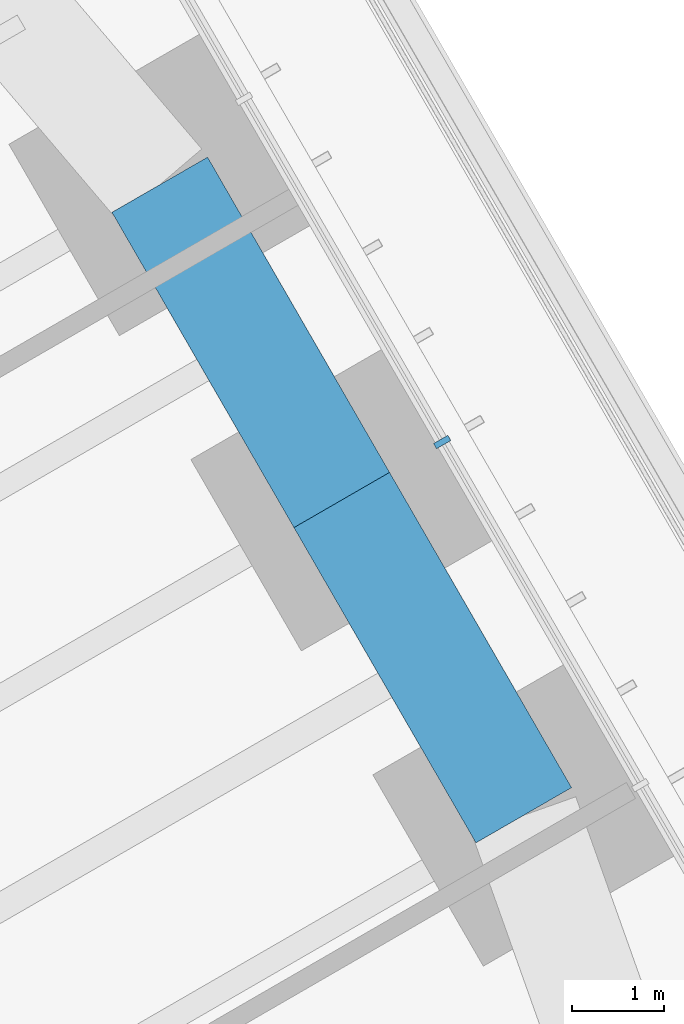
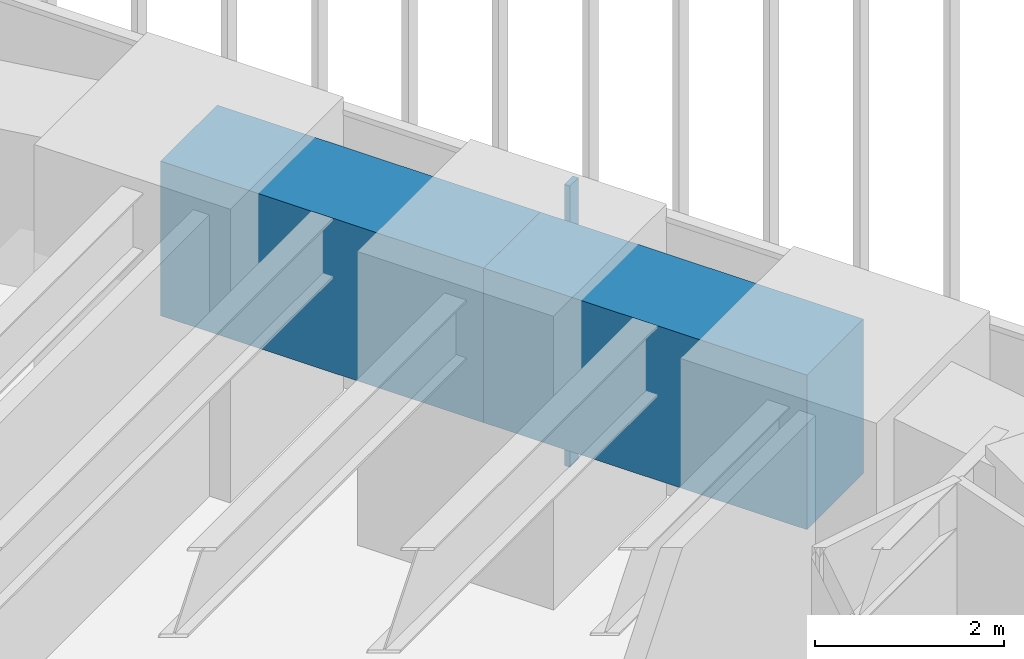
# One storey, part 185 of 238: 2 beams, 1 member, 1 element without a shape of its own.
"""IFC4 building model written with IfcOpenShell, lengths in metres."""

import ifcopenshell
import ifcopenshell.guid

model = None  # the IFC model being written
_history = None  # IfcOwnerHistory: only IFC2X3 demands one
_inside = {}  # id of a spatial element -> (the spatial element, [elements in it])
_under = {}  # id of a project, library or spatial element -> (it, [spatial elements below it])
_declared = {}  # id of a project -> (the project, [libraries it declares])
_typed = {}  # id of a type object -> (the type object, [elements of that type])
_made_of = {}  # id of a material, layer set ... -> (it, [elements and type objects made of it])


def new_model(schema):
    """Start an empty IFC model of exactly this schema.

    Asked for "IFC4X3", IfcOpenShell would pick the latest addendum, in which some entities
    have other attributes; the version numbers below select the first issue.
    IFC2X3 requires an IfcOwnerHistory on every rooted entity: one is made here for all.
    """
    global model, _history
    if schema == "IFC4X3":
        model = ifcopenshell.file(schema_version=(4, 3, 0, 0))
    else:
        model = ifcopenshell.file(schema=schema)
    _inside.clear()
    _under.clear()
    _declared.clear()
    _typed.clear()
    _made_of.clear()
    _history = None
    if model.schema == "IFC2X3":
        org = make("IfcOrganization", Name="unknown")
        user = make(
            "IfcPersonAndOrganization",
            ThePerson=make("IfcPerson", FamilyName="unknown"),
            TheOrganization=org,
        )
        app = make(
            "IfcApplication",
            ApplicationDeveloper=org,
            Version="unknown",
            ApplicationFullName="unknown",
            ApplicationIdentifier="unknown",
        )
        _history = make(
            "IfcOwnerHistory",
            OwningUser=user,
            OwningApplication=app,
            ChangeAction="ADDED",
            CreationDate=0,
        )
    return model


def make(cls, **values):
    """One entity of the class cls with the attributes given. An attribute that is None is left unset."""
    return model.create_entity(
        cls, **{name: value for name, value in values.items() if value is not None}
    )


def rooted(cls, **values):
    """An entity with a GlobalId (a new one), such as an element, a storey or a relation."""
    return make(cls, GlobalId=ifcopenshell.guid.new(), OwnerHistory=_history, **values)


def si_unit(unit_type, name, prefix=None):
    """IfcSIUnit, for example si_unit("LENGTHUNIT", "METRE", prefix="MILLI")."""
    return make("IfcSIUnit", UnitType=unit_type, Prefix=prefix, Name=name)


def assignment(units):
    """IfcUnitAssignment: the units of a project."""
    return None if units is None else make("IfcUnitAssignment", Units=units)


def point(xyz):
    """IfcCartesianPoint."""
    return None if xyz is None else make("IfcCartesianPoint", Coordinates=xyz)


def direction(xyz):
    """IfcDirection."""
    return None if xyz is None else make("IfcDirection", DirectionRatios=xyz)


def frame(location, z_axis=None, x_axis=None):
    """IfcAxis2Placement3D, a coordinate frame: its origin and axes. An axis left out is left unset."""
    return make(
        "IfcAxis2Placement3D",
        Location=point(location),
        Axis=direction(z_axis),
        RefDirection=direction(x_axis),
    )


def frame_2d(location, x_axis=None):
    """IfcAxis2Placement2D, a coordinate frame in the plane: its origin and x axis."""
    return make(
        "IfcAxis2Placement2D", Location=point(location), RefDirection=direction(x_axis)
    )


def origin():
    """The frame at (0, 0, 0) with its axes left unset."""
    return frame((0.0, 0.0, 0.0))


def origin_2d():
    """The frame at (0, 0) in the plane with its x axis left unset."""
    return frame_2d((0.0, 0.0))


def place(relative_to, where):
    """IfcLocalPlacement: puts the frame where relative to a parent placement (None: the world)."""
    return make(
        "IfcLocalPlacement", PlacementRelTo=relative_to, RelativePlacement=where
    )


def context(
    kind, dimensions, precision=None, world=None, true_north=None, identifier=None
):
    """IfcGeometricRepresentationContext, for example the 3D "Model" context."""
    return make(
        "IfcGeometricRepresentationContext",
        ContextIdentifier=identifier,
        ContextType=kind,
        CoordinateSpaceDimension=dimensions,
        Precision=precision,
        WorldCoordinateSystem=world,
        TrueNorth=true_north,
    )


def subcontext(parent, identifier, kind, view, scale=None):
    """IfcGeometricRepresentationSubContext, for example "Body" below "Model"."""
    return make(
        "IfcGeometricRepresentationSubContext",
        ContextIdentifier=identifier,
        ContextType=kind,
        ParentContext=parent,
        TargetScale=scale,
        TargetView=view,
    )


def project(units=None, contexts=None):
    """IfcProject with its units and contexts."""
    return rooted(
        "IfcProject",
        Name="project",
        RepresentationContexts=contexts,
        UnitsInContext=assignment(units),
    )


def spatial(cls, under=None, at=None, **own):
    """A site, building, storey or space (cls), placed at a placement, below another one or the project."""
    s = rooted(cls, ObjectPlacement=at, **own)
    if under is not None:
        _under.setdefault(under.id(), (under, []))[1].append(s)
    return s


def profile(cls, at=None, kind="AREA", **sizes):
    """A parametric profile (cls). Its sizes go by their IFC names, for example OverallWidth=200.0."""
    return make(cls, ProfileType=kind, Position=at, **sizes)


def rectangle(**sizes):
    """IfcRectangleProfileDef."""
    return profile("IfcRectangleProfileDef", **sizes)


def extrude(swept, where, along, depth):
    """IfcExtrudedAreaSolid: the profile swept, set in the frame where, extruded along a direction by depth."""
    return make(
        "IfcExtrudedAreaSolid",
        SweptArea=swept,
        Position=where,
        ExtrudedDirection=direction(along),
        Depth=depth,
    )


def shape(context_of_items, identifier, shape_type, items):
    """IfcShapeRepresentation: the items that make up one representation, for example the "Body"."""
    return make(
        "IfcShapeRepresentation",
        ContextOfItems=context_of_items,
        RepresentationIdentifier=identifier,
        RepresentationType=shape_type,
        Items=items,
    )


def material(Name=None, Category=None):
    """IfcMaterial."""
    return make("IfcMaterial", Name=Name, Category=Category)


def material_profile(
    of_material, cross_section, Name=None, Category=None, Priority=None
):
    """IfcMaterialProfile: a cross section and its material."""
    return make(
        "IfcMaterialProfile",
        Name=Name,
        Material=of_material,
        Profile=cross_section,
        Priority=Priority,
        Category=Category,
    )


def profile_set(profiles, Name=None, composite=None):
    """IfcMaterialProfileSet."""
    return make(
        "IfcMaterialProfileSet",
        Name=Name,
        MaterialProfiles=profiles,
        CompositeProfile=composite,
    )


def made_of(thing, what):
    """Note that an element or type object is made of a material, layer set ...; save() writes the relation."""
    if what is not None:
        _made_of.setdefault(what.id(), (what, []))[1].append(thing)
    return thing


def type_object(cls, material=None, **own):
    """A type object (cls), such as IfcWallType, which elements share."""
    return made_of(rooted(cls, **own), material)


def element(
    cls,
    number,
    at=None,
    inside=None,
    cuts=None,
    type_object=None,
    material=None,
    context=None,
    identifier="Body",
    shape_type=None,
    held_by="IfcProductDefinitionShape",
    body=None,
    shapes=None,
    **own,
):
    """One element of the class cls, such as IfcWall. Its Tag is "e" and its number.

    at: its placement. inside: the storey or other place that contains it. cuts: it is an
    opening in that element (IfcRelVoidsElement). A single representation is given by context,
    identifier, shape_type and body (its items); several are given by shapes. held_by: the class
    of the entity that holds the representations. save() writes the other relations.
    """
    e = rooted(cls, Tag="e%d" % number, ObjectPlacement=at, **own)
    if body is not None:
        shapes = [shape(context, identifier, shape_type, body)]
    if shapes is not None:
        e.Representation = make(held_by, Representations=shapes)
    if inside is not None:
        _inside.setdefault(inside.id(), (inside, []))[1].append(e)
    if cuts is not None:
        rooted(
            "IfcRelVoidsElement", RelatingBuildingElement=cuts, RelatedOpeningElement=e
        )
    if type_object is not None:
        _typed.setdefault(type_object.id(), (type_object, []))[1].append(e)
    return made_of(e, material)


def aggregate(whole, parts):
    """IfcRelAggregates: a whole, such as a stair, and the parts it consists of."""
    return rooted("IfcRelAggregates", RelatingObject=whole, RelatedObjects=parts)


def save(model, path):
    """Write the relations noted so far, then the file.

    IfcRelAggregates (storeys below a building ...), IfcRelContainedInSpatialStructure (elements
    in a storey), IfcRelDefinesByType, IfcRelAssociatesMaterial and IfcRelDeclares: one each for
    every whole, place, type object, material and project.
    """
    for whole, parts in _under.values():
        aggregate(whole, parts)
    for where, things in _inside.values():
        rooted(
            "IfcRelContainedInSpatialStructure",
            RelatedElements=things,
            RelatingStructure=where,
        )
    for kind, things in _typed.values():
        rooted("IfcRelDefinesByType", RelatedObjects=things, RelatingType=kind)
    for what, things in _made_of.values():
        rooted("IfcRelAssociatesMaterial", RelatedObjects=things, RelatingMaterial=what)
    for by, libraries in _declared.values():
        rooted("IfcRelDeclares", RelatingContext=by, RelatedDefinitions=libraries)
    model.write(path)


model = new_model("IFC4")

# Units and contexts
model_context = context("Model", 3, precision=1e-05, world=origin(), true_north=direction((0.0, 1.0)))
body_context = subcontext(model_context, "Body", "Model", "MODEL_VIEW")
ifc_project = project(units=[si_unit("LENGTHUNIT", "METRE"), si_unit("AREAUNIT", "SQUARE_METRE"), si_unit("VOLUMEUNIT", "CUBIC_METRE"), si_unit("PLANEANGLEUNIT", "RADIAN"), si_unit("MASSUNIT", "GRAM", prefix="KILO")], contexts=[model_context])

# Site, building, storey
site_placement = place(None, origin())
site = spatial("IfcSite", under=ifc_project, at=site_placement, CompositionType="ELEMENT")
building_placement = place(site_placement, origin())
building = spatial("IfcBuilding", under=site, at=building_placement, Name="Sandreach Pilgrim Tower", CompositionType="ELEMENT")
storey_placement = place(building_placement, frame((0.0, 0.0, 96.800048828125)))
storey = spatial("IfcBuildingStorey", under=building, at=storey_placement, Name="L23", CompositionType="ELEMENT", Elevation=96.800048828125)

# Curtain wall, member
ifc_material_1 = material(Name="Aluminium framed curtain wall", Category="aluminium")
curtain_wall_type = type_object("IfcCurtainWallType", Name="Hotel tower curtain wall", PredefinedType="NOTDEFINED", material=ifc_material_1)
curtain_wall_placement = place(storey_placement, origin())
curtain_wall = element("IfcCurtainWall", 1, at=curtain_wall_placement, inside=storey, type_object=curtain_wall_type, Name="CW-2 L23 NE", PredefinedType="NOTDEFINED")
ifc_material_2 = material(Name="Aluminium extrusion", Category="aluminium")
ifc_material_profile_1 = material_profile(ifc_material_2, rectangle(XDim=0.06494140625, YDim=0.179931640625, at=origin_2d()), Name="CW-2M 65X180")
ifc_profile_set_1 = profile_set([ifc_material_profile_1], Name="Aluminium extrusion")
member_type = type_object("IfcMemberType", Name="CW-2 mullion", PredefinedType="MULLION", material=ifc_profile_set_1)
member_placement = place(storey_placement, frame((24.415283203125, 14.09619140625, 0.0), z_axis=(0.0, 0.0, 1.0), x_axis=(0.5, -0.866025403784, 0.0)))
member = element("IfcMember", 2, at=member_placement, type_object=member_type, Name="CW-2 mullion 3", PredefinedType="MULLION", context=body_context, shape_type="SweptSolid", body=[
    extrude(rectangle(XDim=0.06494140625, YDim=0.179931640625, at=origin_2d()), origin(), (0.0, 0.0, 1.0), 3.639892578125),
])
aggregate(curtain_wall, [member])

# Beams
ifc_material_3 = material(Name="Concrete 10000 psi", Category="concrete")
ifc_material_profile_2 = material_profile(ifc_material_3, rectangle(XDim=1.199951171875, YDim=2.0, at=origin_2d()), Name="RC1200X2000")
ifc_profile_set_2 = profile_set([ifc_material_profile_2], Name="Concrete 10000 psi")
beam_type = type_object("IfcBeamType", Name="Spandrel beam RC1200X2000", PredefinedType="SPANDREL", material=ifc_profile_set_2)
for number, where, z_axis, x_axis, name in (
    (3, (21.346435546875, 16.891357421875, 2.639892578125), (0.499989616998, -0.866031398331, 0.0), (0.866031398331, 0.499989616998, 0.0), "BM L23 SP10"),
    (4, (23.323974609375, 13.466064453125, 2.639892578125), (0.499989616998, -0.866031398331, 0.0), (0.866031398331, 0.499989616998, 0.0), "BM L23 SP11"),
):
    element("IfcBeam", number, at=place(storey_placement, frame(where, z_axis=z_axis, x_axis=x_axis)), inside=storey, type_object=beam_type, Name=name, PredefinedType="SPANDREL", context=body_context, shape_type="SweptSolid", body=[
        extrude(rectangle(XDim=1.199951171875, YDim=2.0, at=origin_2d()), origin(), (0.0, 0.0, 1.0), 3.955078125),
    ])

save(model, "model.ifc")
